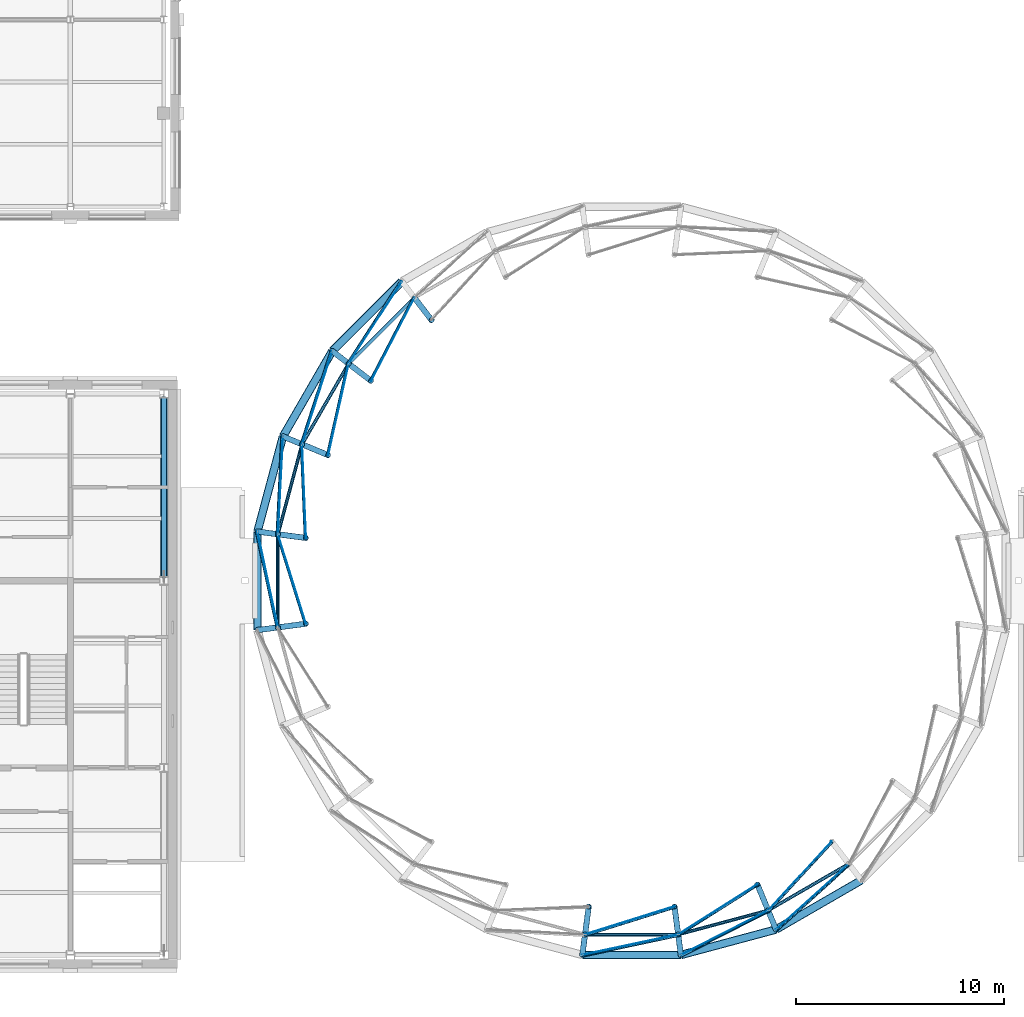
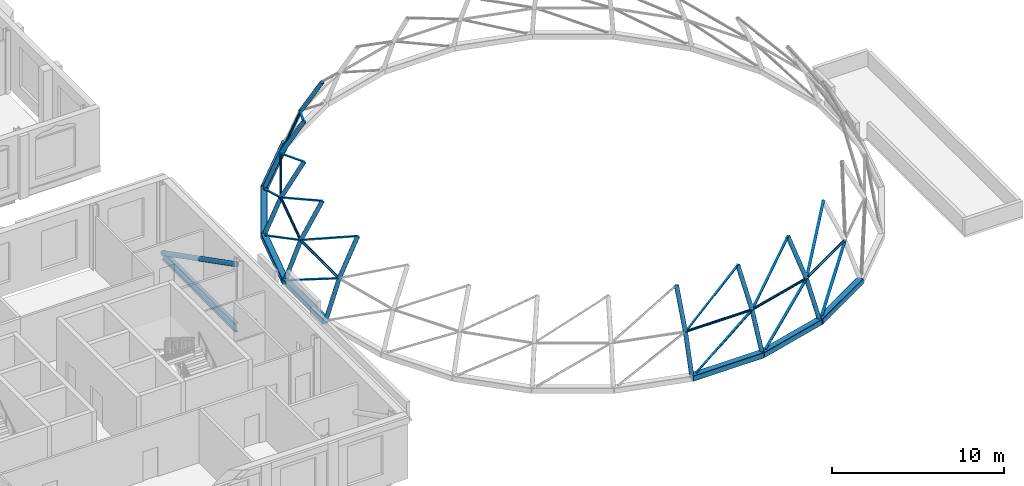
# One storey, part 8 of 59: 36 members, 23 beams.
"""IFC4 building model written with IfcOpenShell, lengths in metres."""

from ifc_helpers import new_model, si_unit, direction, frame, origin, origin_2d, place, context, subcontext, project, spatial, rectangle, hollow_rectangle, circle, hollow_circle, i_section, extrude, material, material_profile, profile_set, type_object, element, save


model = new_model("IFC4")

# Units and contexts
model_context = context("Model", 3, precision=1e-05, world=origin(), true_north=direction((0.0, 1.0)))
body_context = subcontext(model_context, "Body", "Model", "MODEL_VIEW")
ifc_project = project(units=[si_unit("LENGTHUNIT", "METRE"), si_unit("AREAUNIT", "SQUARE_METRE"), si_unit("VOLUMEUNIT", "CUBIC_METRE"), si_unit("PLANEANGLEUNIT", "RADIAN"), si_unit("MASSUNIT", "GRAM", prefix="KILO")], contexts=[model_context])

# Site, building, storey
site_placement = place(None, origin())
site = spatial("IfcSite", under=ifc_project, at=site_placement, CompositionType="ELEMENT")
building_placement = place(site_placement, origin())
building = spatial("IfcBuilding", under=site, at=building_placement, Name="Hortulan Conservatory and Botanical Research Centre", CompositionType="ELEMENT")
storey_placement = place(building_placement, frame((0.0, 0.0, 10.5)))
storey = spatial("IfcBuildingStorey", under=building, at=storey_placement, Name="L02", CompositionType="ELEMENT", Elevation=10.5)

# Members
ifc_material_1 = material(Name="Steel Grade C350L0 (350 MPa, AS/NZS 1163)", Category="steel")
ifc_material_profile_1 = material_profile(ifc_material_1, hollow_circle(Radius=0.161865234375, WallThickness=0.009521484375, at=origin_2d()), Name="323.9x9.5CHS")
ifc_profile_set_1 = profile_set([ifc_material_profile_1], Name="Steel Grade C350L0 (350 MPa, AS/NZS 1163)")
member_type_1 = type_object("IfcMemberType", Name="Brace 323.9x9.5CHS", PredefinedType="BRACE", material=ifc_profile_set_1)
member_1_placement = place(storey_placement, frame((31.5, 26.7890625, -0.365234375), z_axis=(0.0, -0.889904464341, 0.45614695477), x_axis=(1.0, 0.0, 0.0)))
element("IfcMember", 1, at=member_1_placement, inside=storey, type_object=member_type_1, Name="323.9x9.5CHS brace", PredefinedType="BRACE", context=body_context, shape_type="SweptSolid", body=[
    extrude(hollow_circle(Radius=0.161865234375, WallThickness=0.009521484375, at=origin_2d()), origin(), (0.0, 0.0, 1.0), 9.639404296875),
])
ifc_material_2 = material(Name="Steel Grade 300PLUS (AS/NZS 3679.1, 280 MPa minimum yield)", Category="steel")
ifc_material_profile_2 = material_profile(ifc_material_2, circle(Radius=0.011962890625, at=origin_2d()), Name="24 dia rod")
ifc_profile_set_2 = profile_set([ifc_material_profile_2], Name="Steel Grade 300PLUS (AS/NZS 3679.1, 280 MPa minimum yield)")
member_type_2 = type_object("IfcMemberType", Name="Dome Diagonal Rod 24 dia rod", PredefinedType="BRACE", material=ifc_profile_set_2)
for number, where, z_axis, x_axis, name in (
    (2, (42.94775390625, 32.403564453125, 0.0), (-0.476549555041, -0.735153241403, 0.482130929567), (0.839121027927, -0.543944758675, 0.0), "Dome diagonal rod row 1 panel 09"),
    (3, (39.596435546875, 29.05224609375, 0.0), (-0.27003961921, -0.833442729967, 0.482132575048), (0.95131192214, -0.308229827879, 0.0), "Dome diagonal rod row 1 panel 10"),
    (4, (37.226806640625, 24.94775390625, 0.0), (-0.045149160701, -0.874940820745, 0.482120434624), (0.998671242499, -0.051533963608, 0.0), "Dome diagonal rod row 1 panel 11"),
    (5, (36.0, 20.36962890625, 0.0), (0.182868217021, -0.856803393002, 0.482127743388), (0.977973386326, 0.208729623286, 0.0), "Dome diagonal rod row 1 panel 12"),
    (6, (51.63037109375, 0.0, 0.0), (0.856803393002, 0.182868217021, 0.482127743388), (-0.208729623286, 0.977973386326, 0.0), "Dome diagonal rod row 1 panel 18"),
):
    element("IfcMember", number, at=place(storey_placement, frame(where, z_axis=z_axis, x_axis=x_axis)), inside=storey, type_object=member_type_2, Name=name, PredefinedType="BRACE", context=body_context, shape_type="SweptSolid", body=[
        extrude(circle(Radius=0.011962890625, at=origin_2d()), origin(), (0.0, 0.0, 1.0), 5.38037109375),
    ])
member_2_placement = place(storey_placement, frame((56.36962890625, 0.0, 0.0), z_axis=(0.780299916715, 0.39838537354, 0.482100751009), x_axis=(-0.45471772236, 0.89063561178, 0.0)))
element("IfcMember", 7, at=member_2_placement, inside=storey, type_object=member_type_2, Name="Dome diagonal rod row 1 panel 19", PredefinedType="BRACE", context=body_context, shape_type="SweptSolid", body=[
    extrude(circle(Radius=0.011962890625, at=origin_2d()), origin(), (0.0, 0.0, 1.0), 5.380615234375),
])
member_3_placement = place(storey_placement, frame((60.94775390625, 1.226806640625, 0.0), z_axis=(0.650599359727, 0.586755497323, 0.482118719284), x_axis=(-0.669731250742, 0.742603562999, 0.0)))
element("IfcMember", 8, at=member_3_placement, inside=storey, type_object=member_type_2, Name="Dome diagonal rod row 1 panel 20", PredefinedType="BRACE", context=body_context, shape_type="SweptSolid", body=[
    extrude(circle(Radius=0.011962890625, at=origin_2d()), origin(), (0.0, 0.0, 1.0), 5.38037109375),
])
member_4_placement = place(storey_placement, frame((43.5517578125, 31.6162109375, 2.593994140625), z_axis=(-0.408076055598, -0.78080618984, 0.473091562761), x_axis=(0.886259288922, -0.463189456701, 0.0)))
element("IfcMember", 9, at=member_4_placement, inside=storey, type_object=member_type_2, Name="Dome diagonal rod row 2 panel 09", PredefinedType="BRACE", context=body_context, shape_type="SweptSolid", body=[
    extrude(circle(Radius=0.011962890625, at=origin_2d()), origin(), (0.0, 0.0, 1.0), 5.1181640625),
])
member_5_placement = place(storey_placement, frame((40.3837890625, 28.4482421875, 2.593994140625), z_axis=(-0.192130404694, -0.859816950102, 0.473075807784), x_axis=(0.975931609415, -0.218076806986, 0.0)))
element("IfcMember", 10, at=member_5_placement, inside=storey, type_object=member_type_2, Name="Dome diagonal rod row 2 panel 10", PredefinedType="BRACE", context=body_context, shape_type="SweptSolid", body=[
    extrude(circle(Radius=0.011962890625, at=origin_2d()), origin(), (0.0, 0.0, 1.0), 5.118408203125),
])
member_6_placement = place(storey_placement, frame((38.1435546875, 24.568115234375, 2.593994140625), z_axis=(0.036965399101, -0.880253471503, 0.473061713919), x_axis=(0.999119414833, 0.041957060227, 0.0)))
element("IfcMember", 11, at=member_6_placement, inside=storey, type_object=member_type_2, Name="Dome diagonal rod row 2 panel 11", PredefinedType="BRACE", context=body_context, shape_type="SweptSolid", body=[
    extrude(circle(Radius=0.011962890625, at=origin_2d()), origin(), (0.0, 0.0, 1.0), 5.11865234375),
])
for number, where, z_axis, x_axis, name in (
    (12, (36.98388671875, 20.240234375, 2.593994140625), (0.263544505751, -0.840671198072, 0.473092200549), (0.954209837917, 0.2991380705, 0.0), "Dome diagonal rod row 2 panel 12"),
    (13, (51.759765625, 0.98388671875, 2.593994140625), (0.840671198072, 0.263544505751, 0.473092200549), (-0.2991380705, 0.954209837917, 0.0), "Dome diagonal rod row 2 panel 18"),
    (14, (56.240234375, 0.98388671875, 2.593994140625), (0.743829104226, 0.472131619445, 0.473085613422), (-0.535894209709, 0.844285139038, 0.0), "Dome diagonal rod row 2 panel 19"),
    (15, (60.568115234375, 2.1435546875, 2.593994140625), (0.596256296153, 0.648583748703, 0.47309359562), (-0.736180234782, 0.676785536131, 0.0), "Dome diagonal rod row 2 panel 20"),
):
    element("IfcMember", number, at=place(storey_placement, frame(where, z_axis=z_axis, x_axis=x_axis)), inside=storey, type_object=member_type_2, Name=name, PredefinedType="BRACE", context=body_context, shape_type="SweptSolid", body=[
        extrude(circle(Radius=0.011962890625, at=origin_2d()), origin(), (0.0, 0.0, 1.0), 5.1181640625),
    ])
ifc_material_3 = material(Name="Bronze-finished aluminium", Category="aluminium")
ifc_material_profile_3 = material_profile(ifc_material_3, rectangle(XDim=0.050048828125, YDim=0.050048828125, at=origin_2d()), Name="Square bar 50x50")
ifc_profile_set_3 = profile_set([ifc_material_profile_3], Name="Bronze-finished aluminium")
member_type_3 = type_object("IfcMemberType", Name="Dome Glazing Bar 50x50", PredefinedType="MEMBER", material=ifc_profile_set_3)
for number, where, z_axis, x_axis, name in (
    (16, (42.898681640625, 32.467529296875, 0.024169921875), (-0.476552880566, -0.735135560286, 0.48215460179), (0.839113323916, -0.54395664315, 0.0), "Dome glazing bar row 1 panel 09"),
    (17, (39.532470703125, 29.101318359375, 0.024169921875), (-0.270054374867, -0.833428096674, 0.482149605713), (0.951305396403, -0.308249968004, 0.0), "Dome glazing bar row 1 panel 10"),
):
    element("IfcMember", number, at=place(storey_placement, frame(where, z_axis=z_axis, x_axis=x_axis)), inside=storey, type_object=member_type_3, Name=name, PredefinedType="MEMBER", context=body_context, shape_type="SweptSolid", body=[
        extrude(rectangle(XDim=0.050048828125, YDim=0.050048828125, at=origin_2d()), origin(), (0.0, 0.0, 1.0), 5.404296875),
    ])
member_7_placement = place(storey_placement, frame((37.152099609375, 24.978515625, 0.024169921875), z_axis=(-0.045128821976, -0.874929953977, 0.482142059004), x_axis=(0.998672404089, -0.051511448352, 0.0)))
element("IfcMember", 18, at=member_7_placement, inside=storey, type_object=member_type_3, Name="Dome glazing bar row 1 panel 11", PredefinedType="MEMBER", context=body_context, shape_type="SweptSolid", body=[
    extrude(rectangle(XDim=0.050048828125, YDim=0.050048828125, at=origin_2d()), origin(), (0.0, 0.0, 1.0), 5.404541015625),
])
for number, where, z_axis, x_axis, name in (
    (19, (35.920166015625, 20.380126953125, 0.024169921875), (0.182831845963, -0.856784274449, 0.482175510741), (0.977980909638, 0.208694370752, 0.0), "Dome glazing bar row 1 panel 12"),
    (20, (51.619873046875, -0.079833984375, 0.024169921875), (0.856784274449, 0.182831845963, 0.482175510741), (-0.208694370752, 0.977980909638, 0.0), "Dome glazing bar row 1 panel 18"),
):
    element("IfcMember", number, at=place(storey_placement, frame(where, z_axis=z_axis, x_axis=x_axis)), inside=storey, type_object=member_type_3, Name=name, PredefinedType="MEMBER", context=body_context, shape_type="SweptSolid", body=[
        extrude(rectangle(XDim=0.050048828125, YDim=0.050048828125, at=origin_2d()), origin(), (0.0, 0.0, 1.0), 5.404052734375),
    ])
for number, where, z_axis, x_axis, name in (
    (21, (56.380126953125, -0.079833984375, 0.024169921875), (0.78029343557, 0.39834582961, 0.482143914655), (-0.454684914177, 0.890652361373, 0.0), "Dome glazing bar row 1 panel 19"),
    (22, (60.978515625, 1.152099609375, 0.024169921875), (0.650586397389, 0.586756472413, 0.482135024256), (-0.669739222965, 0.742596373019, 0.0), "Dome glazing bar row 1 panel 20"),
):
    element("IfcMember", number, at=place(storey_placement, frame(where, z_axis=z_axis, x_axis=x_axis)), inside=storey, type_object=member_type_3, Name=name, PredefinedType="MEMBER", context=body_context, shape_type="SweptSolid", body=[
        extrude(rectangle(XDim=0.050048828125, YDim=0.050048828125, at=origin_2d()), origin(), (0.0, 0.0, 1.0), 5.404541015625),
    ])
member_8_placement = place(storey_placement, frame((43.507568359375, 31.673828125, 2.628173828125), z_axis=(-0.408081012447, -0.780821287697, 0.473062367939), x_axis=(0.886260655895, -0.463186841148, 0.0)))
element("IfcMember", 23, at=member_8_placement, inside=storey, type_object=member_type_3, Name="Dome glazing bar row 2 panel 09", PredefinedType="MEMBER", context=body_context, shape_type="SweptSolid", body=[
    extrude(rectangle(XDim=0.050048828125, YDim=0.050048828125, at=origin_2d()), origin(), (0.0, 0.0, 1.0), 5.1396484375),
])
for number, where, z_axis, x_axis, name in (
    (24, (40.326171875, 28.492431640625, 2.628173828125), (-0.192134722647, -0.859832570914, 0.473045662012), (0.975931409542, -0.218077701447, 0.0), "Dome glazing bar row 2 panel 10"),
    (25, (38.076416015625, 24.595703125, 2.628173828125), (0.037002072154, -0.880259821763, 0.473047030269), (0.999117681751, 0.041998309631, 0.0), "Dome glazing bar row 2 panel 11"),
    (26, (36.911865234375, 20.249755859375, 2.628173828125), (0.263573222272, -0.840688855828, 0.4730448226), (0.954202327411, 0.29916202694, 0.0), "Dome glazing bar row 2 panel 12"),
    (27, (51.750244140625, 0.911865234375, 2.628173828125), (0.840688855828, 0.263573222272, 0.4730448226), (-0.29916202694, 0.954202327411, 0.0), "Dome glazing bar row 2 panel 18"),
    (28, (56.249755859375, 0.911865234375, 2.628173828125), (0.74384363542, 0.472145960158, 0.473048452436), (-0.535898349948, 0.844282511085, 0.0), "Dome glazing bar row 2 panel 19"),
    (29, (60.595703125, 2.076416015625, 2.628173828125), (0.596294600473, 0.648590311412, 0.473036317199), (-0.736161984981, 0.676805386998, 0.0), "Dome glazing bar row 2 panel 20"),
):
    element("IfcMember", number, at=place(storey_placement, frame(where, z_axis=z_axis, x_axis=x_axis)), inside=storey, type_object=member_type_3, Name=name, PredefinedType="MEMBER", context=body_context, shape_type="SweptSolid", body=[
        extrude(rectangle(XDim=0.050048828125, YDim=0.050048828125, at=origin_2d()), origin(), (0.0, 0.0, 1.0), 5.139892578125),
    ])

# Beams
ifc_material_profile_4 = material_profile(ifc_material_1, hollow_circle(Radius=0.136474609375, WallThickness=0.00927734375, at=origin_2d()), Name="273.1x9.3CHS")
ifc_profile_set_4 = profile_set([ifc_material_profile_4], Name="Steel Grade C350L0 (350 MPa, AS/NZS 1163)")
beam_type_1 = type_object("IfcBeamType", Name="Dome Rib 273.1x9.3 CHS", PredefinedType="BEAM", material=ifc_profile_set_4)
for number, where, z_axis, x_axis, name in (
    (30, (43.5517578125, 31.6162109375, 2.593994140625), (0.298246774824, -0.388608603448, 0.871798264872), (0.793297233079, 0.608834542375, 0.0), "Dome rib 09 segment 2"),
    (31, (39.596435546875, 29.05224609375, 0.0), (0.283493149372, -0.217476605131, 0.933989058009), (0.608663940733, 0.793428136161, 0.0), "Dome rib 10 segment 1"),
    (32, (40.3837890625, 28.4482421875, 2.593994140625), (0.388608603448, -0.298246774824, 0.871798264872), (0.608834542375, 0.793297233079, 0.0), "Dome rib 10 segment 2"),
    (33, (37.226806640625, 24.94775390625, 0.0), (0.330086867344, -0.136693762642, 0.934000789754), (0.382605320631, 0.923911883582, 0.0), "Dome rib 11 segment 1"),
    (34, (38.1435546875, 24.568115234375, 2.593994140625), (0.452523006993, -0.187496420729, 0.871818800185), (0.382779713358, 0.923839645741, 0.0), "Dome rib 11 segment 2"),
    (35, (36.0, 20.36962890625, 0.0), (0.354255872662, -0.046589482013, 0.933987257328), (0.13039087187, 0.991462667241, 0.0), "Dome rib 12 segment 1"),
    (36, (36.98388671875, 20.240234375, 2.593994140625), (0.485654782954, -0.063992159636, 0.871805273727), (0.130635542827, 0.991430458958, 0.0), "Dome rib 12 segment 2"),
    (37, (36.0, 15.63037109375, 0.0), (0.354255872662, 0.046589482013, 0.933987257328), (-0.13039087187, 0.991462667241, 0.0), "Dome rib 13 segment 1"),
    (38, (36.98388671875, 15.759765625, 2.593994140625), (0.485654782954, 0.063992159636, 0.871805273727), (-0.130635542827, 0.991430458958, 0.0), "Dome rib 13 segment 2"),
    (39, (51.63037109375, 0.0, 0.0), (0.046589482013, 0.354255872662, 0.933987257328), (-0.991462667241, 0.13039087187, 0.0), "Dome rib 18 segment 1"),
    (40, (51.759765625, 0.98388671875, 2.593994140625), (0.063992159636, 0.485654782954, 0.871805273727), (-0.991430458958, 0.130635542827, 0.0), "Dome rib 18 segment 2"),
    (41, (56.36962890625, 0.0, 0.0), (-0.046589482013, 0.354255872662, 0.933987257328), (-0.991462667241, -0.13039087187, 0.0), "Dome rib 19 segment 1"),
    (42, (56.240234375, 0.98388671875, 2.593994140625), (-0.063992159636, 0.485654782954, 0.871805273727), (-0.991430458958, -0.130635542827, 0.0), "Dome rib 19 segment 2"),
    (43, (60.94775390625, 1.226806640625, 0.0), (-0.136693762642, 0.330086867344, 0.934000789754), (-0.923911883582, -0.382605320631, 0.0), "Dome rib 20 segment 1"),
    (44, (60.568115234375, 2.1435546875, 2.593994140625), (-0.187496420729, 0.452523006993, 0.871818800185), (-0.923839645741, -0.382779713358, 0.0), "Dome rib 20 segment 2"),
):
    element("IfcBeam", number, at=place(storey_placement, frame(where, z_axis=z_axis, x_axis=x_axis)), inside=storey, type_object=beam_type_1, Name=name, PredefinedType="BEAM", context=body_context, shape_type="SweptSolid", body=[
        extrude(hollow_circle(Radius=0.136474609375, WallThickness=0.00927734375, at=origin_2d()), origin(), (0.0, 0.0, 1.0), 2.77734375),
    ])

# Members
ifc_material_profile_5 = material_profile(ifc_material_1, hollow_circle(Radius=0.084228515625, WallThickness=0.00634765625, at=origin_2d()), Name="168.3x6.4CHS")
ifc_profile_set_5 = profile_set([ifc_material_profile_5], Name="Steel Grade C350L0 (350 MPa, AS/NZS 1163)")
member_type_4 = type_object("IfcMemberType", Name="Dome Ring 168.3x6.4 CHS", PredefinedType="PURLIN", material=ifc_profile_set_5)
member_9_placement = place(storey_placement, frame((43.5517578125, 31.6162109375, 2.593994140625), z_axis=(-0.707106781187, -0.707106781187, 0.0), x_axis=(0.707106781187, -0.707106781187, 0.0)))
element("IfcMember", 45, at=member_9_placement, inside=storey, type_object=member_type_4, Name="Dome ring 1 chord 09", PredefinedType="PURLIN", context=body_context, shape_type="SweptSolid", body=[
    extrude(hollow_circle(Radius=0.084228515625, WallThickness=0.00634765625, at=origin_2d()), origin(), (0.0, 0.0, 1.0), 4.480224609375),
])
for number, where, z_axis, x_axis, name in (
    (46, (40.3837890625, 28.4482421875, 2.593994140625), (-0.500007036309, -0.866021341331, 0.0), (0.866021341331, -0.500007036309, 0.0), "Dome ring 1 chord 10"),
    (47, (38.1435546875, 24.568115234375, 2.593994140625), (-0.258822332634, -0.965924945392, 0.0), (0.965924945392, -0.258822332634, 0.0), "Dome ring 1 chord 11"),
    (48, (36.98388671875, 20.240234375, 2.593994140625), (0.0, -1.0, 0.0), (1.0, 0.0, 0.0), "Dome ring 1 chord 12"),
    (49, (51.759765625, 0.98388671875, 2.593994140625), (1.0, 0.0, 0.0), (0.0, 1.0, 0.0), "Dome ring 1 chord 18"),
    (50, (56.240234375, 0.98388671875, 2.593994140625), (0.965924945392, 0.258822332634, 0.0), (-0.258822332634, 0.965924945392, 0.0), "Dome ring 1 chord 19"),
    (51, (60.568115234375, 2.1435546875, 2.593994140625), (0.866021341331, 0.500007036309, 0.0), (-0.500007036309, 0.866021341331, 0.0), "Dome ring 1 chord 20"),
):
    element("IfcMember", number, at=place(storey_placement, frame(where, z_axis=z_axis, x_axis=x_axis)), inside=storey, type_object=member_type_4, Name=name, PredefinedType="PURLIN", context=body_context, shape_type="SweptSolid", body=[
        extrude(hollow_circle(Radius=0.084228515625, WallThickness=0.00634765625, at=origin_2d()), origin(), (0.0, 0.0, 1.0), 4.48046875),
    ])

# Beams
ifc_material_4 = material(Name="Steel Grade C450L0 (450 MPa, AS/NZS 1163)", Category="steel")
ifc_material_profile_6 = material_profile(ifc_material_4, hollow_rectangle(XDim=0.39990234375, YDim=0.39990234375, WallThickness=0.01611328125, InnerFilletRadius=0.02392578125, OuterFilletRadius=0.0400390625, at=origin_2d()), Name="400x400x16SHS")
ifc_profile_set_6 = profile_set([ifc_material_profile_6], Name="Steel Grade C450L0 (450 MPa, AS/NZS 1163)")
beam_type_2 = type_object("IfcBeamType", Name="Dome Ring Beam 400x400x16 SHS", PredefinedType="BEAM", material=ifc_profile_set_6)
for number, where, z_axis, x_axis, name in (
    (52, (42.94775390625, 32.403564453125, 0.0), (-0.707106781187, -0.707106781187, 0.0), (0.707106781187, -0.707106781187, 0.0), "Dome ring beam chord 09"),
    (53, (39.596435546875, 29.05224609375, 0.0), (-0.4999840544, -0.866034609785, 0.0), (0.866034609785, -0.4999840544, 0.0), "Dome ring beam chord 10"),
):
    element("IfcBeam", number, at=place(storey_placement, frame(where, z_axis=z_axis, x_axis=x_axis)), inside=storey, type_object=beam_type_2, Name=name, PredefinedType="BEAM", context=body_context, shape_type="SweptSolid", body=[
        extrude(hollow_rectangle(XDim=0.39990234375, YDim=0.39990234375, WallThickness=0.01611328125, InnerFilletRadius=0.02392578125, OuterFilletRadius=0.0400390625, at=origin_2d()), origin(), (0.0, 0.0, 1.0), 4.739501953125),
    ])
beam_1_placement = place(storey_placement, frame((37.226806640625, 24.94775390625, 0.0), z_axis=(-0.258839073629, -0.965920459439, 0.0), x_axis=(0.965920459439, -0.258839073629, 0.0)))
element("IfcBeam", 54, at=beam_1_placement, inside=storey, type_object=beam_type_2, Name="Dome ring beam chord 11", PredefinedType="BEAM", context=body_context, shape_type="SweptSolid", body=[
    extrude(hollow_rectangle(XDim=0.39990234375, YDim=0.39990234375, WallThickness=0.01611328125, InnerFilletRadius=0.02392578125, OuterFilletRadius=0.0400390625, at=origin_2d()), origin(), (0.0, 0.0, 1.0), 4.73974609375),
])
for number, where, z_axis, x_axis, name in (
    (55, (36.0, 20.36962890625, 0.0), (0.0, -1.0, 0.0), (1.0, 0.0, 0.0), "Dome ring beam chord 12"),
    (56, (51.63037109375, 0.0, 0.0), (1.0, 0.0, 0.0), (0.0, 1.0, 0.0), "Dome ring beam chord 18"),
):
    element("IfcBeam", number, at=place(storey_placement, frame(where, z_axis=z_axis, x_axis=x_axis)), inside=storey, type_object=beam_type_2, Name=name, PredefinedType="BEAM", context=body_context, shape_type="SweptSolid", body=[
        extrude(hollow_rectangle(XDim=0.39990234375, YDim=0.39990234375, WallThickness=0.01611328125, InnerFilletRadius=0.02392578125, OuterFilletRadius=0.0400390625, at=origin_2d()), origin(), (0.0, 0.0, 1.0), 4.7392578125),
    ])
beam_2_placement = place(storey_placement, frame((56.36962890625, 0.0, 0.0), z_axis=(0.965920459439, 0.258839073629, 0.0), x_axis=(-0.258839073629, 0.965920459439, 0.0)))
element("IfcBeam", 57, at=beam_2_placement, inside=storey, type_object=beam_type_2, Name="Dome ring beam chord 19", PredefinedType="BEAM", context=body_context, shape_type="SweptSolid", body=[
    extrude(hollow_rectangle(XDim=0.39990234375, YDim=0.39990234375, WallThickness=0.01611328125, InnerFilletRadius=0.02392578125, OuterFilletRadius=0.0400390625, at=origin_2d()), origin(), (0.0, 0.0, 1.0), 4.73974609375),
])
beam_3_placement = place(storey_placement, frame((60.94775390625, 1.226806640625, 0.0), z_axis=(0.866034609785, 0.4999840544, 0.0), x_axis=(-0.4999840544, 0.866034609785, 0.0)))
element("IfcBeam", 58, at=beam_3_placement, inside=storey, type_object=beam_type_2, Name="Dome ring beam chord 20", PredefinedType="BEAM", context=body_context, shape_type="SweptSolid", body=[
    extrude(hollow_rectangle(XDim=0.39990234375, YDim=0.39990234375, WallThickness=0.01611328125, InnerFilletRadius=0.02392578125, OuterFilletRadius=0.0400390625, at=origin_2d()), origin(), (0.0, 0.0, 1.0), 4.739501953125),
])
ifc_material_profile_7 = material_profile(ifc_material_2, i_section(OverallWidth=0.22802734375, OverallDepth=0.60693359375, WebThickness=0.01123046875, FlangeThickness=0.017333984375, FilletRadius=0.013916015625, at=origin_2d()), Name="610UB113")
ifc_profile_set_7 = profile_set([ifc_material_profile_7], Name="Steel Grade 300PLUS (AS/NZS 3679.1, 280 MPa minimum yield)")
beam_type_3 = type_object("IfcBeamType", Name="Primary Beam 610UB113", PredefinedType="BEAM", material=ifc_profile_set_7)
beam_4_placement = place(storey_placement, frame((31.5, 18.2109375, -0.473388671875), z_axis=(0.0, 1.0, 0.0), x_axis=(-1.0, 0.0, 0.0)))
element("IfcBeam", 59, at=beam_4_placement, inside=storey, type_object=beam_type_3, Name="610UB113 girder", PredefinedType="BEAM", context=body_context, shape_type="SweptSolid", body=[
    extrude(i_section(OverallWidth=0.22802734375, OverallDepth=0.60693359375, WebThickness=0.01123046875, FlangeThickness=0.017333984375, FilletRadius=0.013916015625, at=origin_2d()), origin(), (0.0, 0.0, 1.0), 8.578125),
])

save(model, "model.ifc")
